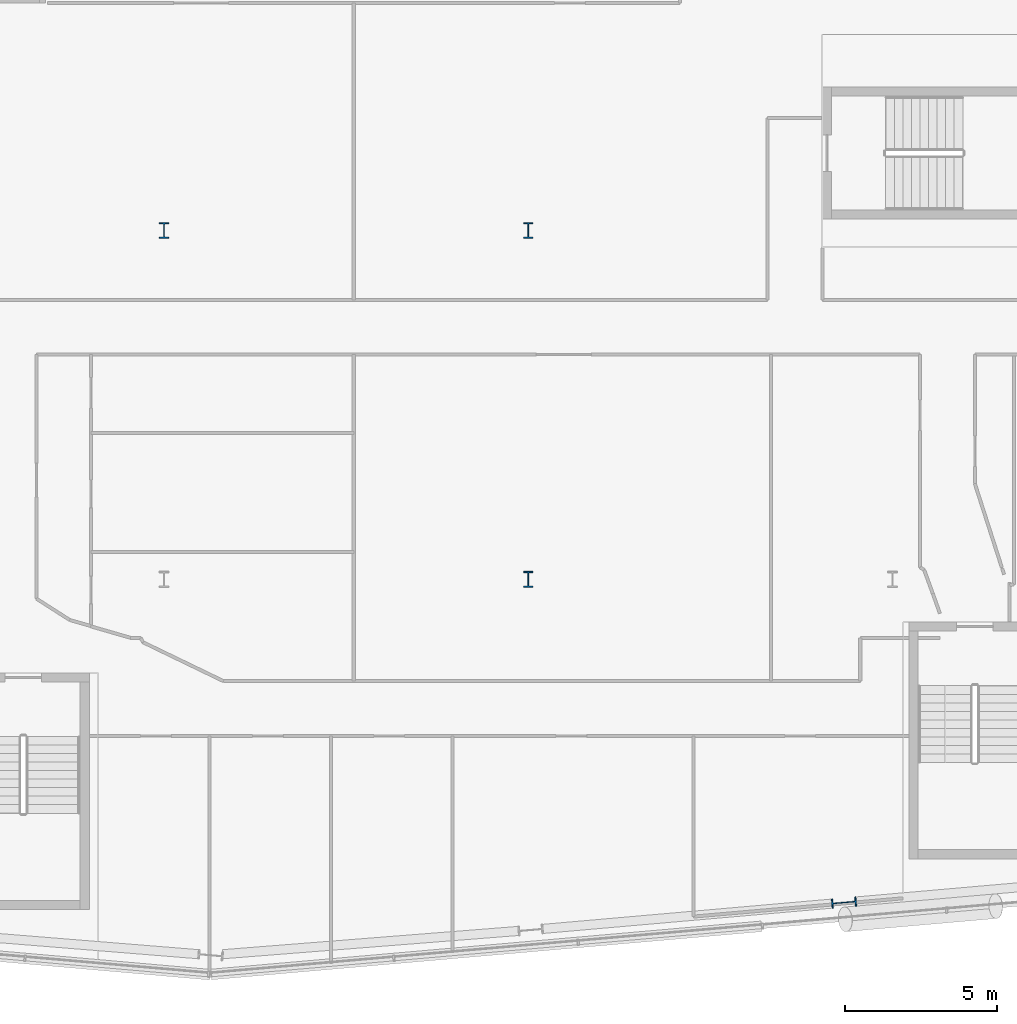
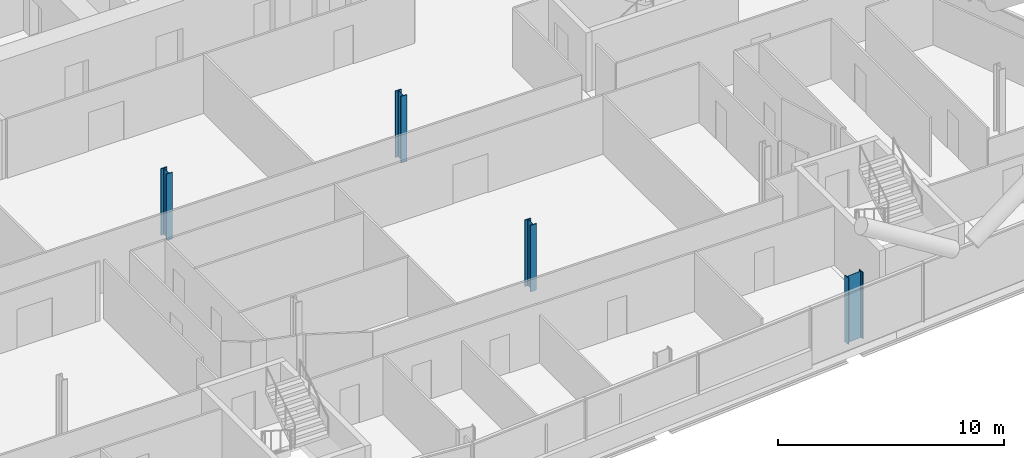
# One storey, part 2 of 28: 4 columns.
"""IFC4 building model written with IfcOpenShell, lengths in metres."""

from ifc_helpers import new_model, si_unit, direction, frame, origin, origin_2d, place, context, subcontext, project, spatial, i_section, extrude, material, material_profile, profile_set, type_object, element, save


model = new_model("IFC4")

# Units and contexts
model_context = context("Model", 3, precision=1e-05, world=origin(), true_north=direction((0.0, 1.0)))
body_context = subcontext(model_context, "Body", "Model", "MODEL_VIEW")
ifc_project = project(units=[si_unit("LENGTHUNIT", "METRE"), si_unit("AREAUNIT", "SQUARE_METRE"), si_unit("VOLUMEUNIT", "CUBIC_METRE"), si_unit("PLANEANGLEUNIT", "RADIAN"), si_unit("MASSUNIT", "GRAM", prefix="KILO")], contexts=[model_context])

# Site, building, storey
site_placement = place(None, origin())
site = spatial("IfcSite", under=ifc_project, at=site_placement, CompositionType="ELEMENT")
building_placement = place(site_placement, origin())
building = spatial("IfcBuilding", under=site, at=building_placement, Name="Wharfspan Tower", CompositionType="ELEMENT")
storey_placement = place(building_placement, frame((0.0, 0.0, 132.699951)))
storey = spatial("IfcBuildingStorey", under=building, at=storey_placement, Name="L31", CompositionType="ELEMENT", Elevation=132.699951)

# Columns
ifc_material = material(Name="Steel S355J2", Category="steel")
ifc_material_profile_1 = material_profile(ifc_material, i_section(OverallWidth=0.305908, OverallDepth=0.523926, WebThickness=0.020996, FlangeThickness=0.040039, FilletRadius=0.0271, at=origin_2d()))
ifc_profile_set_1 = profile_set([ifc_material_profile_1], Name="Steel S355J2")
column_type_1 = type_object("IfcColumnType", Name="Column HEM 500", PredefinedType="COLUMN", material=ifc_profile_set_1)
for number, where, z_axis, x_axis, name in (
    (1, (60.0, 11.5, 0.0), (0.0, 0.0, 1.0), (1.0, 0.0, 0.0), "Interior column I.1.5 L31"),
    (2, (48.0, 23.0, 0.0), (0.0, 0.0, 1.0), (1.0, 0.0, 0.0), "Interior column I.2.3 L31"),
    (3, (60.0, 23.0, 0.0), (0.0, 0.0, 1.0), (1.0, 0.0, 0.0), "Interior column I.2.4 L31"),
):
    element("IfcColumn", number, at=place(storey_placement, frame(where, z_axis=z_axis, x_axis=x_axis)), inside=storey, type_object=column_type_1, Name=name, PredefinedType="COLUMN", context=body_context, shape_type="SweptSolid", body=[
        extrude(i_section(OverallWidth=0.305908, OverallDepth=0.523926, WebThickness=0.020996, FlangeThickness=0.040039, FilletRadius=0.0271, at=origin_2d()), origin(), (0.0, 0.0, 1.0), 3.600098),
    ])
ifc_material_profile_2 = material_profile(ifc_material, i_section(OverallWidth=0.302979, OverallDepth=0.813965, WebThickness=0.020996, FlangeThickness=0.040039, FilletRadius=0.030029, at=origin_2d()))
ifc_profile_set_2 = profile_set([ifc_material_profile_2], Name="Steel S355J2")
column_type_2 = type_object("IfcColumnType", Name="Column HEM 800", PredefinedType="COLUMN", material=ifc_profile_set_2)
column_placement = place(storey_placement, frame((70.404053, 0.852783, 0.0), z_axis=(0.0, 0.0, 1.0), x_axis=(0.087156, -0.996198, 0.0)))
element("IfcColumn", 4, at=column_placement, inside=storey, type_object=column_type_2, Name="Perimeter column PS2.2 L31", PredefinedType="COLUMN", context=body_context, shape_type="SweptSolid", body=[
    extrude(i_section(OverallWidth=0.302979, OverallDepth=0.813965, WebThickness=0.020996, FlangeThickness=0.040039, FilletRadius=0.030029, at=origin_2d()), origin(), (0.0, 0.0, 1.0), 3.600098),
])

save(model, "model.ifc")
